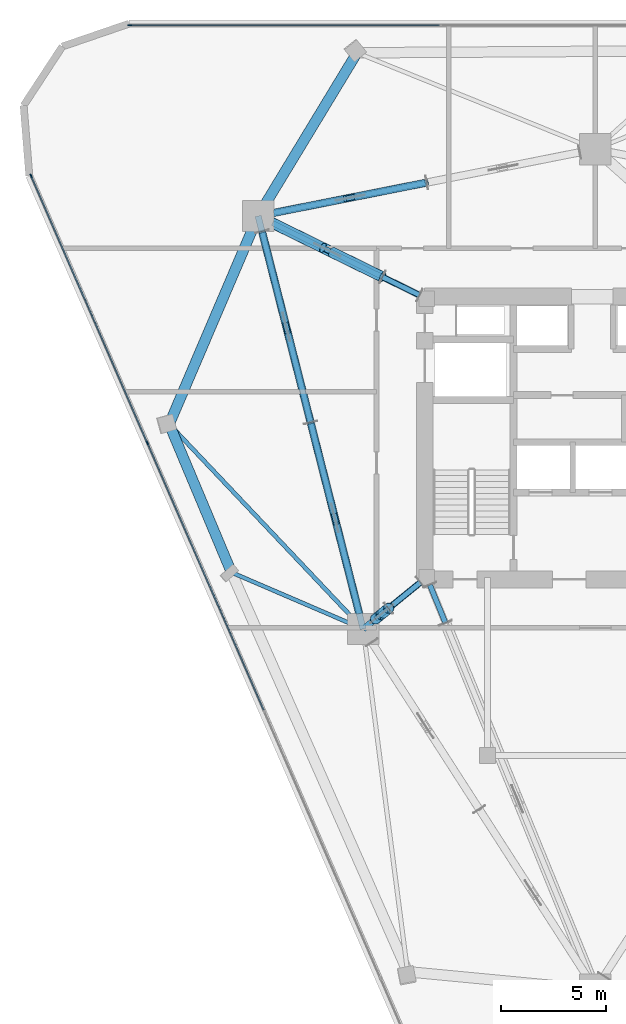
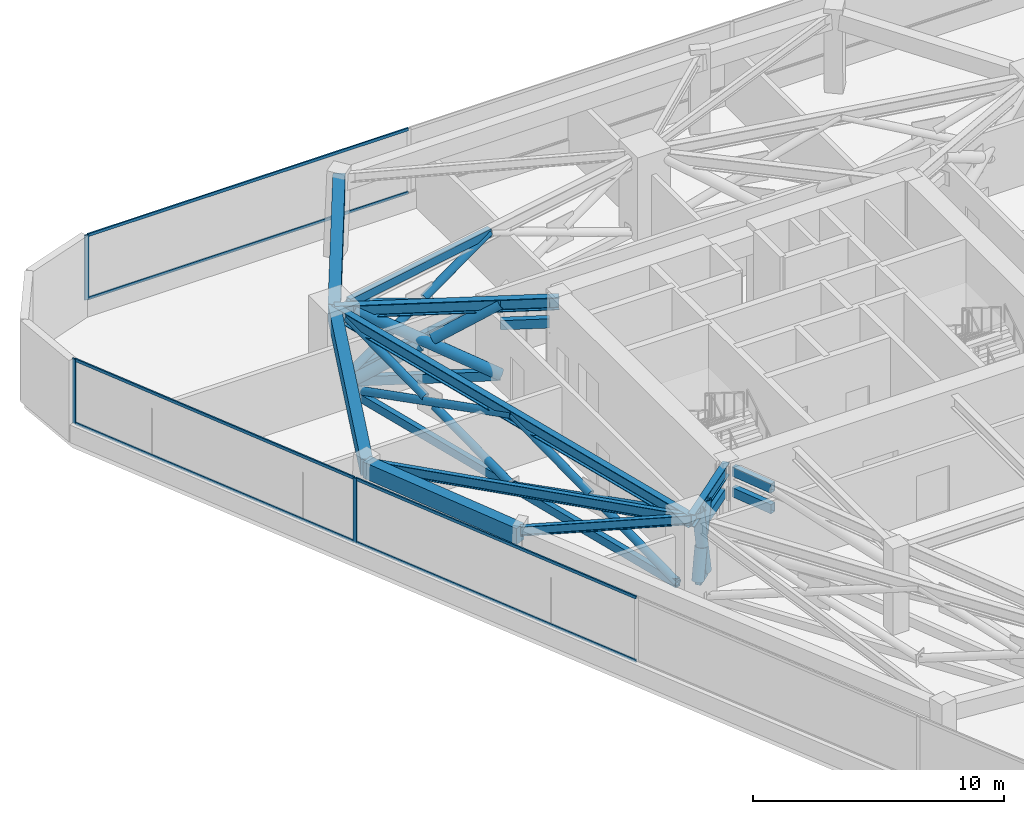
# One storey, part 5 of 13: 40 members, 8 beams, 2 elements without a shape of their own.
"""IFC4 building model written with IfcOpenShell, lengths in metres."""

from ifc_helpers import new_model, si_unit, direction, frame, origin, origin_2d, place, context, subcontext, project, spatial, rectangle, hollow_rectangle, hollow_circle, i_section, extrude, material, layer, layer_set, material_profile, profile_set, type_object, element, aggregate, save


model = new_model("IFC4")

# Units and contexts
model_context = context("Model", 3, precision=1e-05, world=origin(), true_north=direction((0.0, 1.0)))
body_context = subcontext(model_context, "Body", "Model", "MODEL_VIEW")
ifc_project = project(units=[si_unit("LENGTHUNIT", "METRE"), si_unit("AREAUNIT", "SQUARE_METRE"), si_unit("VOLUMEUNIT", "CUBIC_METRE"), si_unit("PLANEANGLEUNIT", "RADIAN"), si_unit("MASSUNIT", "GRAM", prefix="KILO")], contexts=[model_context])

# Site, building, storey
site_placement = place(None, origin())
site = spatial("IfcSite", under=ifc_project, at=site_placement, CompositionType="ELEMENT")
building_placement = place(site_placement, origin())
building = spatial("IfcBuilding", under=site, at=building_placement, Name="Talyreon Biosciences Tower", CompositionType="ELEMENT")
storey_placement = place(building_placement, frame((0.0, 0.0, 175.199951171875)))
storey = spatial("IfcBuildingStorey", under=building, at=storey_placement, Name="L46", CompositionType="ELEMENT", Elevation=175.199951171875)

# Members
ifc_material_1 = material(Name="Steel SM355", Category="steel")
ifc_material_profile_1 = material_profile(ifc_material_1, hollow_circle(Radius=0.177734375, WallThickness=0.01416015625, at=origin_2d()), Name="CHS 355.6x14.2")
ifc_profile_set_1 = profile_set([ifc_material_profile_1], Name="Steel SM355")
member_type_1 = type_object("IfcMemberType", Name="BeltBrace_CHS355", PredefinedType="BRACE", material=ifc_profile_set_1)
member_1_placement = place(storey_placement, frame((57.94873046875, 80.19384765625, 0.239990234375), z_axis=(-0.889616925937, -0.176264495184, 0.421322385857), x_axis=(0.194357006894, -0.980930860903, 0.0)))
element("IfcMember", 1, at=member_1_placement, inside=storey, type_object=member_type_1, Name="L46 Continuous Diagonal BELT-L46-B4S2A", PredefinedType="BRACE", context=body_context, shape_type="SweptSolid", body=[
    extrude(hollow_circle(Radius=0.177734375, WallThickness=0.01416015625, at=origin_2d()), origin(), (0.0, 0.0, 1.0), 8.212158203125),
])
member_2_placement = place(storey_placement, frame((50.64306640625, 78.746337890625, 0.239990234375), z_axis=(0.889619231342, 0.176239299739, 0.421328057994), x_axis=(-0.19432978993, 0.980936253151, 0.0)))
element("IfcMember", 2, at=member_2_placement, inside=storey, type_object=member_type_1, Name="L46 Split Diagonal BELT-L46-B4S2B-Lower", PredefinedType="BRACE", context=body_context, shape_type="SweptSolid", body=[
    extrude(hollow_circle(Radius=0.177734375, WallThickness=0.01416015625, at=origin_2d()), origin(), (0.0, 0.0, 1.0), 3.826171875),
])
member_3_placement = place(storey_placement, frame((54.544921875, 79.51953125, 2.088134765625), z_axis=(0.889643147326, 0.17624403765, 0.421275574426), x_axis=(-0.19432978993, 0.980936253151, 0.0)))
element("IfcMember", 3, at=member_3_placement, inside=storey, type_object=member_type_1, Name="L46 Split Diagonal BELT-L46-B4S2B-Upper", PredefinedType="BRACE", context=body_context, shape_type="SweptSolid", body=[
    extrude(hollow_circle(Radius=0.177734375, WallThickness=0.01416015625, at=origin_2d()), origin(), (0.0, 0.0, 1.0), 3.825927734375),
])
member_4_placement = place(storey_placement, frame((50.0849609375, 77.8623046875, 0.239990234375), z_axis=(0.231406536423, -0.909632657957, 0.344991945528), x_axis=(0.96913188456, 0.246542877262, 0.0)))
element("IfcMember", 4, at=member_4_placement, inside=storey, type_object=member_type_1, Name="L46 Continuous Diagonal BELT-L46-B5S1A", PredefinedType="BRACE", context=body_context, shape_type="SweptSolid", body=[
    extrude(hollow_circle(Radius=0.177734375, WallThickness=0.01416015625, at=origin_2d()), origin(), (0.0, 0.0, 1.0), 10.029052734375),
])
member_5_placement = place(storey_placement, frame((52.40576171875, 68.739501953125, 0.239990234375), z_axis=(-0.231377127616, 0.90962614913, 0.345028830149), x_axis=(-0.969138949099, -0.246515105703, 0.0)))
element("IfcMember", 5, at=member_5_placement, inside=storey, type_object=member_type_1, Name="L46 Split Diagonal BELT-L46-B5S1B-Lower", PredefinedType="BRACE", context=body_context, shape_type="SweptSolid", body=[
    extrude(hollow_circle(Radius=0.177734375, WallThickness=0.01416015625, at=origin_2d()), origin(), (0.0, 0.0, 1.0), 4.734619140625),
])
member_6_placement = place(storey_placement, frame((51.1806640625, 73.5556640625, 2.066650390625), z_axis=(-0.231430049426, 0.909631477692, 0.344979284907), x_axis=(-0.969125822367, -0.246566705827, 0.0)))
element("IfcMember", 6, at=member_6_placement, inside=storey, type_object=member_type_1, Name="L46 Split Diagonal BELT-L46-B5S1B-Upper", PredefinedType="BRACE", context=body_context, shape_type="SweptSolid", body=[
    extrude(hollow_circle(Radius=0.177734375, WallThickness=0.01416015625, at=origin_2d()), origin(), (0.0, 0.0, 1.0), 4.734375),
])
member_7_placement = place(storey_placement, frame((52.40576171875, 68.739501953125, 0.239990234375), z_axis=(0.231388620346, -0.909633581047, 0.345001528411), x_axis=(0.969136504924, 0.246524714428, 0.0)))
element("IfcMember", 7, at=member_7_placement, inside=storey, type_object=member_type_1, Name="L46 Continuous Diagonal BELT-L46-B5S2A", PredefinedType="BRACE", context=body_context, shape_type="SweptSolid", body=[
    extrude(hollow_circle(Radius=0.177734375, WallThickness=0.01416015625, at=origin_2d()), origin(), (0.0, 0.0, 1.0), 10.02880859375),
])
member_8_placement = place(storey_placement, frame((54.726318359375, 59.616943359375, 0.239990234375), z_axis=(-0.231377127616, 0.90962614913, 0.345028830149), x_axis=(-0.969138949099, -0.246515105703, 0.0)))
element("IfcMember", 8, at=member_8_placement, inside=storey, type_object=member_type_1, Name="L46 Split Diagonal BELT-L46-B5S2B-Lower", PredefinedType="BRACE", context=body_context, shape_type="SweptSolid", body=[
    extrude(hollow_circle(Radius=0.177734375, WallThickness=0.01416015625, at=origin_2d()), origin(), (0.0, 0.0, 1.0), 4.734619140625),
])
member_9_placement = place(storey_placement, frame((53.501220703125, 64.432861328125, 2.066650390625), z_axis=(-0.231381244033, 0.909642332234, 0.344983401511), x_axis=(-0.969138949099, -0.246515105703, 0.0)))
element("IfcMember", 9, at=member_9_placement, inside=storey, type_object=member_type_1, Name="L46 Split Diagonal BELT-L46-B5S2B-Upper", PredefinedType="BRACE", context=body_context, shape_type="SweptSolid", body=[
    extrude(hollow_circle(Radius=0.177734375, WallThickness=0.01416015625, at=origin_2d()), origin(), (0.0, 0.0, 1.0), 4.734375),
])
ifc_material_profile_2 = material_profile(ifc_material_1, hollow_rectangle(XDim=0.25, YDim=0.39990234375, WallThickness=0.01611328125, at=origin_2d()), Name="RHS 400x250x16")
ifc_profile_set_2 = profile_set([ifc_material_profile_2], Name="Steel SM355")
member_type_2 = type_object("IfcMemberType", Name="BeltChord_RHS400x250", PredefinedType="CHORD", material=ifc_profile_set_2)
for number, where, z_axis, x_axis, name in (
    (10, (57.94873046875, 80.19384765625, 0.239990234375), (-0.980930860903, -0.194357006894, 0.0), (0.194357006894, -0.980930860903, 0.0), "L46 Truss Bottom Chord BELT-L46-B4S2"),
    (11, (57.94873046875, 80.19384765625, 3.699951171875), (-0.980930860903, -0.194357006894, 0.0), (0.194357006894, -0.980930860903, 0.0), "L46 Truss Top Chord BELT-L46-B4S2"),
):
    element("IfcMember", number, at=place(storey_placement, frame(where, z_axis=z_axis, x_axis=x_axis)), inside=storey, type_object=member_type_2, Name=name, PredefinedType="CHORD", context=body_context, shape_type="SweptSolid", body=[
        extrude(hollow_rectangle(XDim=0.25, YDim=0.39990234375, WallThickness=0.01611328125, at=origin_2d()), origin(), (0.0, 0.0, 1.0), 7.44775390625),
    ])
for number, where, z_axis, x_axis, name in (
    (12, (50.0849609375, 77.8623046875, 0.239990234375), (0.246542877262, -0.96913188456, 0.0), (0.96913188456, 0.246542877262, 0.0), "L46 Truss Bottom Chord BELT-L46-B5S1"),
    (13, (50.0849609375, 77.8623046875, 3.699951171875), (0.246542877262, -0.96913188456, 0.0), (0.96913188456, 0.246542877262, 0.0), "L46 Truss Top Chord BELT-L46-B5S1"),
):
    element("IfcMember", number, at=place(storey_placement, frame(where, z_axis=z_axis, x_axis=x_axis)), inside=storey, type_object=member_type_2, Name=name, PredefinedType="CHORD", context=body_context, shape_type="SweptSolid", body=[
        extrude(hollow_rectangle(XDim=0.25, YDim=0.39990234375, WallThickness=0.01611328125, at=origin_2d()), origin(), (0.0, 0.0, 1.0), 9.413330078125),
    ])
for number, where, z_axis, x_axis, name in (
    (14, (52.40576171875, 68.739501953125, 0.239990234375), (0.246524714428, -0.969136504924, 0.0), (0.969136504924, 0.246524714428, 0.0), "L46 Truss Bottom Chord BELT-L46-B5S2"),
    (15, (52.40576171875, 68.739501953125, 3.699951171875), (0.246524714428, -0.969136504924, 0.0), (0.969136504924, 0.246524714428, 0.0), "L46 Truss Top Chord BELT-L46-B5S2"),
):
    element("IfcMember", number, at=place(storey_placement, frame(where, z_axis=z_axis, x_axis=x_axis)), inside=storey, type_object=member_type_2, Name=name, PredefinedType="CHORD", context=body_context, shape_type="SweptSolid", body=[
        extrude(hollow_rectangle(XDim=0.25, YDim=0.39990234375, WallThickness=0.01611328125, at=origin_2d()), origin(), (0.0, 0.0, 1.0), 9.4130859375),
    ])

# Curtain wall, members
ifc_material_2 = material(Name="Thermally broken aluminium and low-E glazing", Category="aluminium")
ifc_layer = layer(ifc_material_2, 0.18505859375)
ifc_layer_set = layer_set([ifc_layer], Name="Thermally broken aluminium and low-E glazing")
curtain_wall_type = type_object("IfcCurtainWallType", Name="CurtainWall_Zone3Bioprocess", PredefinedType="NOTDEFINED", material=ifc_layer_set)
curtain_wall_1_placement = place(storey_placement, origin())
curtain_wall_1 = element("IfcCurtainWall", 16, at=curtain_wall_1_placement, inside=storey, type_object=curtain_wall_type, Name="L46 Unitised Curtain Wall FCW-L46-00", PredefinedType="NOTDEFINED")
ifc_material_3 = material(Name="Anodised thermally broken aluminium", Category="aluminium")
ifc_material_profile_3 = material_profile(ifc_material_3, rectangle(XDim=0.06494140625, YDim=0.179931640625, at=origin_2d()), Name="ALUM MULLION 65x180")
ifc_profile_set_3 = profile_set([ifc_material_profile_3], Name="Anodised thermally broken aluminium")
member_type_3 = type_object("IfcMemberType", Name="CWMullion_65x180", PredefinedType="MULLION", material=ifc_profile_set_3)
member_10_placement = place(storey_placement, frame((44.609619140625, 67.762939453125, 0.81005859375), z_axis=(0.0, 0.0, 1.0), x_axis=(-0.916820215501, -0.399300253505, 0.0)))
member_10 = element("IfcMember", 17, at=member_10_placement, type_object=member_type_3, Name="CW4 mullion 4", PredefinedType="MULLION", context=body_context, shape_type="SweptSolid", body=[
    extrude(rectangle(XDim=0.06494140625, YDim=0.179931640625, at=origin_2d()), origin(), (0.0, 0.0, 1.0), 3.139892578125),
])
member_11_placement = place(storey_placement, frame((39.057373046875, 80.511474609375, 0.81005859375), z_axis=(0.0, 0.0, 1.0), x_axis=(-0.916820215501, -0.399300253505, 0.0)))
member_11 = element("IfcMember", 18, at=member_11_placement, type_object=member_type_3, Name="CW4 mullion 5", PredefinedType="MULLION", context=body_context, shape_type="SweptSolid", body=[
    extrude(rectangle(XDim=0.06494140625, YDim=0.179931640625, at=origin_2d()), origin(), (0.0, 0.0, 1.0), 3.139892578125),
])

# Curtain wall, member
curtain_wall_2_placement = place(storey_placement, origin())
curtain_wall_2 = element("IfcCurtainWall", 19, at=curtain_wall_2_placement, inside=storey, type_object=curtain_wall_type, Name="L46 Unitised Curtain Wall FCW-L46-04", PredefinedType="NOTDEFINED")
member_12_placement = place(storey_placement, frame((43.77099609375, 87.705810546875, 0.81005859375), z_axis=(0.0, 0.0, 1.0), x_axis=(0.0, 1.0, 0.0)))
member_12 = element("IfcMember", 20, at=member_12_placement, type_object=member_type_3, Name="CW4 mullion 1", PredefinedType="MULLION", context=body_context, shape_type="SweptSolid", body=[
    extrude(rectangle(XDim=0.06494140625, YDim=0.179931640625, at=origin_2d()), origin(), (0.0, 0.0, 1.0), 3.139892578125),
])

# Member
ifc_material_profile_4 = material_profile(ifc_material_3, rectangle(XDim=0.06494140625, YDim=0.139892578125, at=origin_2d()), Name="ALUM TRANSOM 65x140")
ifc_profile_set_4 = profile_set([ifc_material_profile_4], Name="Anodised thermally broken aluminium")
member_type_4 = type_object("IfcMemberType", Name="CWTransom_65x140", PredefinedType="USERDEFINED", material=ifc_profile_set_4)
member_13_placement = place(storey_placement, frame((50.162109375, 55.01416015625, 0.842529296875), z_axis=(-0.399311623344, 0.916815263541, 0.0), x_axis=(-0.916815263541, -0.399311623344, 0.0)))
member_13 = element("IfcMember", 21, at=member_13_placement, type_object=member_type_4, Name="CW4 transom 3.1", ObjectType="TRANSOM", PredefinedType="USERDEFINED", context=body_context, shape_type="SweptSolid", body=[
    extrude(rectangle(XDim=0.06494140625, YDim=0.139892578125, at=origin_2d()), origin(), (0.0, 0.0, 1.0), 13.872802734375),
])

member_14_placement = place(storey_placement, frame((50.162109375, 55.01416015625, 3.91748046875), z_axis=(-0.399311623344, 0.916815263541, 0.0), x_axis=(-0.916815263541, -0.399311623344, 0.0)))
member_14 = element("IfcMember", 22, at=member_14_placement, type_object=member_type_4, Name="CW4 transom 3.2", ObjectType="TRANSOM", PredefinedType="USERDEFINED", context=body_context, shape_type="SweptSolid", body=[
    extrude(rectangle(XDim=0.06494140625, YDim=0.139892578125, at=origin_2d()), origin(), (0.0, 0.0, 1.0), 13.872802734375),
])

member_15_placement = place(storey_placement, frame((44.5966796875, 67.792724609375, 0.842529296875), z_axis=(-0.399298814497, 0.916820842227, 0.0), x_axis=(-0.916820842227, -0.399298814497, 0.0)))
member_15 = element("IfcMember", 23, at=member_15_placement, type_object=member_type_4, Name="CW4 transom 4.1", ObjectType="TRANSOM", PredefinedType="USERDEFINED", context=body_context, shape_type="SweptSolid", body=[
    extrude(rectangle(XDim=0.06494140625, YDim=0.139892578125, at=origin_2d()), origin(), (0.0, 0.0, 1.0), 13.840087890625),
])

member_16_placement = place(storey_placement, frame((44.5966796875, 67.792724609375, 3.91748046875), z_axis=(-0.399298814497, 0.916820842227, 0.0), x_axis=(-0.916820842227, -0.399298814497, 0.0)))
member_16 = element("IfcMember", 24, at=member_16_placement, type_object=member_type_4, Name="CW4 transom 4.2", ObjectType="TRANSOM", PredefinedType="USERDEFINED", context=body_context, shape_type="SweptSolid", body=[
    extrude(rectangle(XDim=0.06494140625, YDim=0.139892578125, at=origin_2d()), origin(), (0.0, 0.0, 1.0), 13.840087890625),
])

aggregate(curtain_wall_1, [member_10, member_11, member_13, member_14, member_15, member_16])

member_17_placement = place(storey_placement, frame((43.803466796875, 87.705810546875, 0.842529296875), z_axis=(1.0, 0.0, 0.0), x_axis=(0.0, 1.0, 0.0)))
member_17 = element("IfcMember", 25, at=member_17_placement, type_object=member_type_4, Name="CW4 transom 1.1", ObjectType="TRANSOM", PredefinedType="USERDEFINED", context=body_context, shape_type="SweptSolid", body=[
    extrude(rectangle(XDim=0.06494140625, YDim=0.139892578125, at=origin_2d()), origin(), (0.0, 0.0, 1.0), 14.74365234375),
])

member_18_placement = place(storey_placement, frame((43.803466796875, 87.705810546875, 3.91748046875), z_axis=(1.0, 0.0, 0.0), x_axis=(0.0, 1.0, 0.0)))
member_18 = element("IfcMember", 26, at=member_18_placement, type_object=member_type_4, Name="CW4 transom 1.2", ObjectType="TRANSOM", PredefinedType="USERDEFINED", context=body_context, shape_type="SweptSolid", body=[
    extrude(rectangle(XDim=0.06494140625, YDim=0.139892578125, at=origin_2d()), origin(), (0.0, 0.0, 1.0), 14.74365234375),
])

aggregate(curtain_wall_2, [member_12, member_17, member_18])

# Beams
ifc_material_4 = material(Name="Precast concrete C45/55", Category="concrete")
ifc_material_profile_5 = material_profile(ifc_material_4, rectangle(XDim=0.5, YDim=0.780029296875, at=origin_2d()), Name="RCB 500x780")
ifc_profile_set_5 = profile_set([ifc_material_profile_5], Name="Precast concrete C45/55")
beam_type_1 = type_object("IfcBeamType", Name="ExpressedSpandrel_500x780", PredefinedType="SPANDREL", material=ifc_profile_set_5)
beam_1_placement = place(storey_placement, frame((54.6201171875, 86.39111328125, 3.56005859375), z_axis=(-0.518277369104, -0.855212586831, 0.0), x_axis=(0.855212586831, -0.518277369104, 0.0)))
element("IfcBeam", 27, at=beam_1_placement, inside=storey, type_object=beam_type_1, Name="L46 Expressed Horizontal Concrete Spandrel 08", PredefinedType="SPANDREL", context=body_context, shape_type="SweptSolid", body=[
    extrude(rectangle(XDim=0.5, YDim=0.780029296875, at=origin_2d()), origin(), (0.0, 0.0, 1.0), 9.11181640625),
])
beam_2_placement = place(storey_placement, frame((49.897705078125, 78.5986328125, 3.56005859375), z_axis=(-0.392664708181, -0.919681698714, 0.0), x_axis=(0.919681698714, -0.392664708181, 0.0)))
element("IfcBeam", 28, at=beam_2_placement, inside=storey, type_object=beam_type_1, Name="L46 Expressed Horizontal Concrete Spandrel 09", PredefinedType="SPANDREL", context=body_context, shape_type="SweptSolid", body=[
    extrude(rectangle(XDim=0.5, YDim=0.780029296875, at=origin_2d()), origin(), (0.0, 0.0, 1.0), 10.806640625),
])
beam_3_placement = place(storey_placement, frame((45.654296875, 68.659912109375, 3.56005859375), z_axis=(0.387183820534, -0.922002542901, 0.0), x_axis=(0.922002542901, 0.387183820534, 0.0)))
element("IfcBeam", 29, at=beam_3_placement, inside=storey, type_object=beam_type_1, Name="L46 Expressed Horizontal Concrete Spandrel 10", PredefinedType="SPANDREL", context=body_context, shape_type="SweptSolid", body=[
    extrude(rectangle(XDim=0.5, YDim=0.780029296875, at=origin_2d()), origin(), (0.0, 0.0, 1.0), 7.67626953125),
])

# Members
ifc_material_profile_6 = material_profile(ifc_material_1, hollow_circle(Radius=0.25390625, WallThickness=0.02001953125, at=origin_2d()), Name="CHS 508x20")
ifc_profile_set_6 = profile_set([ifc_material_profile_6], Name="Steel SM355")
member_type_5 = type_object("IfcMemberType", Name="OutriggerBrace_CHS508", PredefinedType="BRACE", material=ifc_profile_set_6)
member_19_placement = place(storey_placement, frame((55.840087890625, 75.684814453125, 0.239990234375), z_axis=(-0.773095797282, 0.37910220925, 0.508531614717), x_axis=(-0.440282388791, -0.897859353195, 0.0)))
element("IfcMember", 30, at=member_19_placement, inside=storey, type_object=member_type_5, Name="L46 Continuous Diagonal OUT-L46-R5A", PredefinedType="BRACE", context=body_context, shape_type="SweptSolid", body=[
    extrude(hollow_circle(Radius=0.25390625, WallThickness=0.02001953125, at=origin_2d()), origin(), (0.0, 0.0, 1.0), 6.8037109375),
])
for number, where, z_axis, x_axis, name in (
    (31, (50.580078125, 78.26416015625, 0.239990234375), (0.773055555926, -0.379137413771, 0.508566543266), (0.440333824637, 0.897834128824, 0.0), "L46 Split Diagonal OUT-L46-R5B-Lower"),
    (32, (53.426513671875, 76.8681640625, 2.112548828125), (0.773140685809, -0.379062604098, 0.508492892892), (0.440224700439, 0.897887639476, 0.0), "L46 Split Diagonal OUT-L46-R5B-Upper"),
):
    element("IfcMember", number, at=place(storey_placement, frame(where, z_axis=z_axis, x_axis=x_axis)), inside=storey, type_object=member_type_5, Name=name, PredefinedType="BRACE", context=body_context, shape_type="SweptSolid", body=[
        extrude(hollow_circle(Radius=0.25390625, WallThickness=0.02001953125, at=origin_2d()), origin(), (0.0, 0.0, 1.0), 3.121826171875),
    ])
member_20_placement = place(storey_placement, frame((56.126953125, 59.8671875, 0.239990234375), z_axis=(-0.175540967552, -0.142755908224, 0.974066794105), x_axis=(0.630935647807, -0.775835168271, 0.0)))
element("IfcMember", 33, at=member_20_placement, inside=storey, type_object=member_type_5, Name="L46 Continuous Diagonal OUT-L46-R6A", PredefinedType="BRACE", context=body_context, shape_type="SweptSolid", body=[
    extrude(hollow_circle(Radius=0.25390625, WallThickness=0.02001953125, at=origin_2d()), origin(), (0.0, 0.0, 1.0), 3.552001953125),
])
for number, where, z_axis, x_axis, name in (
    (34, (55.50341796875, 59.360107421875, 0.239990234375), (0.175591607931, 0.142627384137, 0.974076494182), (-0.630483987944, 0.77620225518, 0.0), "L46 Split Diagonal OUT-L46-R6B-Lower"),
    (35, (55.8642578125, 59.653564453125, 2.24267578125), (0.175587518797, 0.142787248092, 0.974053810128), (-0.630918314269, 0.775849264175, 0.0), "L46 Split Diagonal OUT-L46-R6B-Upper"),
):
    element("IfcMember", number, at=place(storey_placement, frame(where, z_axis=z_axis, x_axis=x_axis)), inside=storey, type_object=member_type_5, Name=name, PredefinedType="BRACE", context=body_context, shape_type="SweptSolid", body=[
        extrude(hollow_circle(Radius=0.25390625, WallThickness=0.02001953125, at=origin_2d()), origin(), (0.0, 0.0, 1.0), 1.49609375),
    ])
ifc_material_profile_7 = material_profile(ifc_material_1, hollow_rectangle(XDim=0.25, YDim=0.449951171875, WallThickness=0.01611328125, at=origin_2d()), Name="RHS 450x250x16")
ifc_profile_set_7 = profile_set([ifc_material_profile_7], Name="Steel SM355")
member_type_6 = type_object("IfcMemberType", Name="OutriggerChord_RHS450x250", PredefinedType="CHORD", material=ifc_profile_set_7)
for number, where, z_axis, x_axis, name in (
    (36, (58.095703125, 60.99365234375, 3.699951171875), (0.378555442562, -0.925578617356, 0.0), (0.925578617356, 0.378555442562, 0.0), "L46 Outrigger Core Top Tie 1"),
    (37, (58.095703125, 60.99365234375, 2.699951171875), (0.378555442562, -0.925578617356, 0.0), (0.925578617356, 0.378555442562, 0.0), "L46 Outrigger Core Plenum Tie 1"),
):
    element("IfcMember", number, at=place(storey_placement, frame(where, z_axis=z_axis, x_axis=x_axis)), inside=storey, type_object=member_type_6, Name=name, PredefinedType="CHORD", context=body_context, shape_type="SweptSolid", body=[
        extrude(hollow_rectangle(XDim=0.25, YDim=0.449951171875, WallThickness=0.01611328125, at=origin_2d()), origin(), (0.0, 0.0, 1.0), 1.965087890625),
    ])
for number, where, z_axis, x_axis, name in (
    (38, (57.604248046875, 74.819580078125, 3.699951171875), (-0.897830193079, 0.44034184947, 0.0), (-0.44034184947, -0.897830193079, 0.0), "L46 Outrigger Core Top Tie 5"),
    (39, (57.604248046875, 74.819580078125, 2.699951171875), (-0.897830193079, 0.44034184947, 0.0), (-0.44034184947, -0.897830193079, 0.0), "L46 Outrigger Core Plenum Tie 5"),
):
    element("IfcMember", number, at=place(storey_placement, frame(where, z_axis=z_axis, x_axis=x_axis)), inside=storey, type_object=member_type_6, Name=name, PredefinedType="CHORD", context=body_context, shape_type="SweptSolid", body=[
        extrude(hollow_rectangle(XDim=0.25, YDim=0.449951171875, WallThickness=0.01611328125, at=origin_2d()), origin(), (0.0, 0.0, 1.0), 1.96484375),
    ])
for number, where, z_axis, x_axis, name in (
    (40, (55.840087890625, 75.684814453125, 0.239990234375), (-0.897859353195, 0.440282388791, 0.0), (-0.440282388791, -0.897859353195, 0.0), "L46 Truss Bottom Chord OUT-L46-R5"),
    (41, (55.840087890625, 75.684814453125, 3.699951171875), (-0.897859353195, 0.440282388791, 0.0), (-0.440282388791, -0.897859353195, 0.0), "L46 Truss Top Chord OUT-L46-R5"),
):
    element("IfcMember", number, at=place(storey_placement, frame(where, z_axis=z_axis, x_axis=x_axis)), inside=storey, type_object=member_type_6, Name=name, PredefinedType="CHORD", context=body_context, shape_type="SweptSolid", body=[
        extrude(hollow_rectangle(XDim=0.25, YDim=0.449951171875, WallThickness=0.01611328125, at=origin_2d()), origin(), (0.0, 0.0, 1.0), 5.8583984375),
    ])
for number, where, z_axis, x_axis, name in (
    (42, (57.6513671875, 61.107177734375, 3.699951171875), (-0.775764250479, -0.631022842438, 0.0), (0.631022842438, -0.775764250479, 0.0), "L46 Outrigger Core Top Tie 6"),
    (43, (57.6513671875, 61.107177734375, 2.699951171875), (-0.775764250479, -0.631022842438, 0.0), (0.631022842438, -0.775764250479, 0.0), "L46 Outrigger Core Plenum Tie 6"),
):
    element("IfcMember", number, at=place(storey_placement, frame(where, z_axis=z_axis, x_axis=x_axis)), inside=storey, type_object=member_type_6, Name=name, PredefinedType="CHORD", context=body_context, shape_type="SweptSolid", body=[
        extrude(hollow_rectangle(XDim=0.25, YDim=0.449951171875, WallThickness=0.01611328125, at=origin_2d()), origin(), (0.0, 0.0, 1.0), 1.965087890625),
    ])
for number, where, z_axis, x_axis, name in (
    (44, (56.126953125, 59.8671875, 0.239990234375), (-0.775835168271, -0.630935647807, 0.0), (0.630935647807, -0.775835168271, 0.0), "L46 Truss Bottom Chord OUT-L46-R6"),
    (45, (56.126953125, 59.8671875, 3.699951171875), (-0.775835168271, -0.630935647807, 0.0), (0.630935647807, -0.775835168271, 0.0), "L46 Truss Top Chord OUT-L46-R6"),
):
    element("IfcMember", number, at=place(storey_placement, frame(where, z_axis=z_axis, x_axis=x_axis)), inside=storey, type_object=member_type_6, Name=name, PredefinedType="CHORD", context=body_context, shape_type="SweptSolid", body=[
        extrude(hollow_rectangle(XDim=0.25, YDim=0.449951171875, WallThickness=0.01611328125, at=origin_2d()), origin(), (0.0, 0.0, 1.0), 0.8037109375),
    ])

# Beams
ifc_material_profile_8 = material_profile(ifc_material_1, i_section(OverallWidth=0.300048828125, OverallDepth=0.60009765625, WebThickness=0.015380859375, FlangeThickness=0.030029296875, FilletRadius=0.027099609375, at=origin_2d()), Name="HE600B")
ifc_profile_set_8 = profile_set([ifc_material_profile_8], Name="Steel SM355")
beam_type_2 = type_object("IfcBeamType", Name="SteelBeam_HE600B", PredefinedType="BEAM", material=ifc_profile_set_8)
beam_4_placement = place(storey_placement, frame((49.897705078125, 78.5986328125, 3.650146484375), z_axis=(0.246537082299, -0.969133358755, 0.0), x_axis=(0.969133358755, 0.246537082299, 0.0)))
element("IfcBeam", 46, at=beam_4_placement, inside=storey, type_object=beam_type_2, Name="L46 Mega-Ring Girder 5", PredefinedType="BEAM", context=body_context, shape_type="SweptSolid", body=[
    extrude(i_section(OverallWidth=0.300048828125, OverallDepth=0.60009765625, WebThickness=0.015380859375, FlangeThickness=0.030029296875, FilletRadius=0.027099609375, at=origin_2d()), origin(), (0.0, 0.0, 1.0), 20.34619140625),
])
beam_5_placement = place(storey_placement, frame((57.949951171875, 74.64990234375, 3.650146484375), z_axis=(-0.897852360314, 0.440296648952, 0.0), x_axis=(-0.440296648952, -0.897852360314, 0.0)))
element("IfcBeam", 47, at=beam_5_placement, inside=storey, type_object=beam_type_2, Name="L46 Radial Primary Girder 5", PredefinedType="BEAM", context=body_context, shape_type="SweptSolid", body=[
    extrude(i_section(OverallWidth=0.300048828125, OverallDepth=0.60009765625, WebThickness=0.015380859375, FlangeThickness=0.030029296875, FilletRadius=0.027099609375, at=origin_2d()), origin(), (0.0, 0.0, 1.0), 8.96826171875),
])
beam_6_placement = place(storey_placement, frame((57.949951171875, 61.35009765625, 3.650146484375), z_axis=(-0.775755154013, -0.631034025249, 0.0), x_axis=(0.631034025249, -0.775755154013, 0.0)))
element("IfcBeam", 48, at=beam_6_placement, inside=storey, type_object=beam_type_2, Name="L46 Radial Primary Girder 6", PredefinedType="BEAM", context=body_context, shape_type="SweptSolid", body=[
    extrude(i_section(OverallWidth=0.300048828125, OverallDepth=0.60009765625, WebThickness=0.015380859375, FlangeThickness=0.030029296875, FilletRadius=0.027099609375, at=origin_2d()), origin(), (0.0, 0.0, 1.0), 3.913818359375),
])
ifc_material_profile_9 = material_profile(ifc_material_1, i_section(OverallWidth=0.18994140625, OverallDepth=0.449951171875, WebThickness=0.009521484375, FlangeThickness=0.0146484375, FilletRadius=0.02099609375, at=origin_2d()), Name="IPE450")
ifc_profile_set_9 = profile_set([ifc_material_profile_9], Name="Steel SM355")
beam_type_3 = type_object("IfcBeamType", Name="SteelJoist_IPE450", PredefinedType="JOIST", material=ifc_profile_set_9)
beam_7_placement = place(storey_placement, frame((54.913818359375, 58.88037109375, 3.72509765625), z_axis=(-0.918757073035, 0.394823303199, 0.0), x_axis=(-0.394823303199, -0.918757073035, 0.0)))
element("IfcBeam", 49, at=beam_7_placement, inside=storey, type_object=beam_type_3, Name="L46 Radial Composite Floor Joist PL-SW", PredefinedType="JOIST", context=body_context, shape_type="SweptSolid", body=[
    extrude(i_section(OverallWidth=0.18994140625, OverallDepth=0.449951171875, WebThickness=0.009521484375, FlangeThickness=0.0146484375, FilletRadius=0.02099609375, at=origin_2d()), origin(), (0.0, 0.0, 1.0), 6.84326171875),
])
ifc_material_profile_10 = material_profile(ifc_material_1, i_section(OverallWidth=0.199951171875, OverallDepth=0.5, WebThickness=0.01025390625, FlangeThickness=0.01611328125, FilletRadius=0.02099609375, at=origin_2d()), Name="IPE500")
ifc_profile_set_10 = profile_set([ifc_material_profile_10], Name="Steel SM355")
beam_type_4 = type_object("IfcBeamType", Name="SteelJoist_IPE500", PredefinedType="JOIST", material=ifc_profile_set_10)
beam_8_placement = place(storey_placement, frame((54.913818359375, 58.88037109375, 3.699951171875), z_axis=(-0.687536956049, 0.726149388258, 0.0), x_axis=(-0.726149388258, -0.687536956049, 0.0)))
element("IfcBeam", 50, at=beam_8_placement, inside=storey, type_object=beam_type_4, Name="L46 Radial Composite Floor Joist PC-SW1", PredefinedType="JOIST", context=body_context, shape_type="SweptSolid", body=[
    extrude(i_section(OverallWidth=0.199951171875, OverallDepth=0.5, WebThickness=0.01025390625, FlangeThickness=0.01611328125, FilletRadius=0.02099609375, at=origin_2d()), origin(), (0.0, 0.0, 1.0), 13.4677734375),
])

save(model, "model.ifc")
